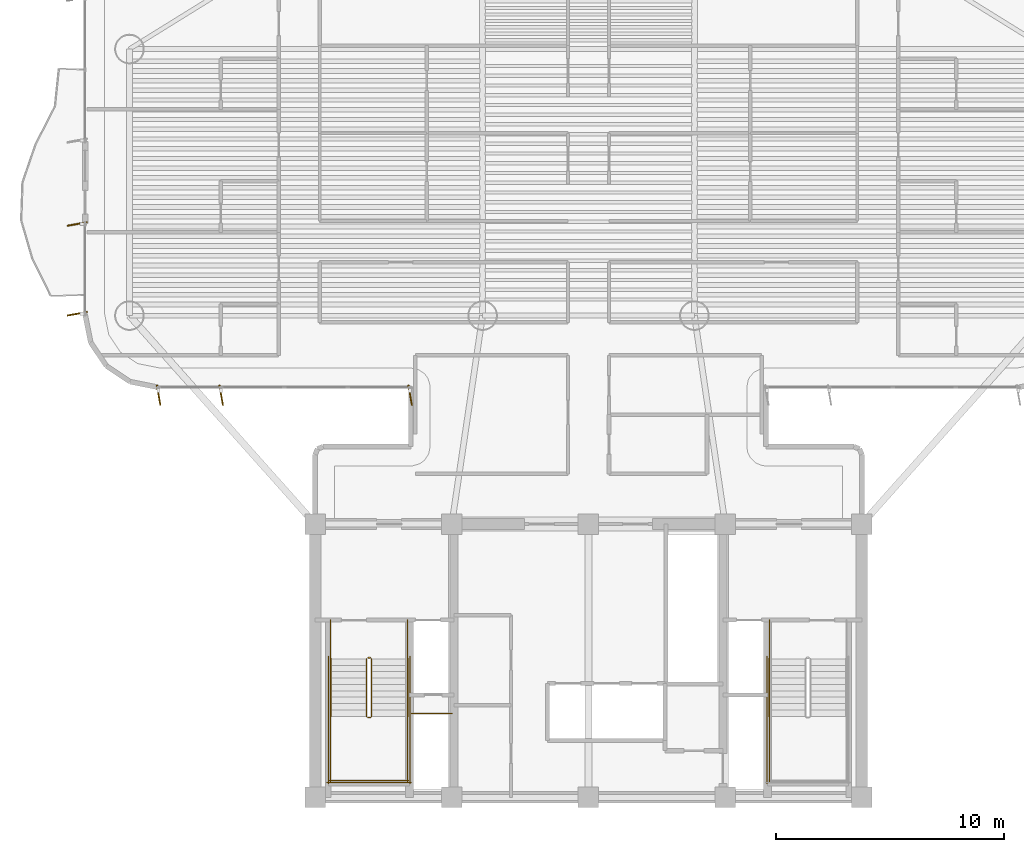
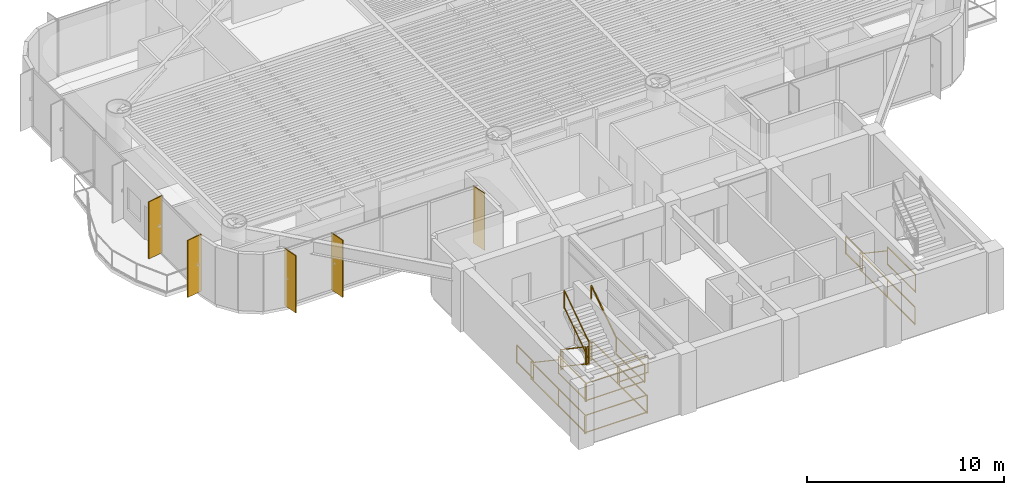
# One storey, part 14 of 17: 19 railings, 5 shading devices.
"""IFC4 building model written with IfcOpenShell, lengths in metres."""

from ifc_helpers import new_model, si_unit, direction, frame, origin, origin_2d, place, context, subcontext, project, spatial, rectangle, extrude, source, transform, mapped, material, layer, layer_set, material_profile, profile_set, type_object, element, save


model = new_model("IFC4")

# Units and contexts
model_context = context("Model", 3, precision=1e-05, world=origin(), true_north=direction((0.0, 1.0)))
body_context = subcontext(model_context, "Body", "Model", "MODEL_VIEW")
ifc_project = project(units=[si_unit("LENGTHUNIT", "METRE"), si_unit("AREAUNIT", "SQUARE_METRE"), si_unit("VOLUMEUNIT", "CUBIC_METRE"), si_unit("PLANEANGLEUNIT", "RADIAN"), si_unit("MASSUNIT", "GRAM", prefix="KILO")], contexts=[model_context])

# Site, building, storey
site_placement = place(None, origin())
site = spatial("IfcSite", under=ifc_project, at=site_placement, CompositionType="ELEMENT")
building_placement = place(site_placement, origin())
building = spatial("IfcBuilding", under=site, at=building_placement, Name="Brelvock Crest Care Tower", CompositionType="ELEMENT")
storey_placement = place(building_placement, frame((0.0, 0.0, 131.39990234375)))
storey = spatial("IfcBuildingStorey", under=building, at=storey_placement, Name="L33", CompositionType="ELEMENT", Elevation=131.39990234375)

# Railings
ifc_material_1 = material(Name="Steel Grade 350", Category="steel")
ifc_layer_1 = layer(ifc_material_1, 0.050048828125, Name="RL-STG1")
ifc_layer_set_1 = layer_set([ifc_layer_1], Name="Steel Grade 350")
railing_type_1 = type_object("IfcRailingType", Name="RL-STG1", PredefinedType="GUARDRAIL", material=ifc_layer_set_1)
railing_1_placement = place(storey_placement, frame((26.260009765625, 12.080078125, 0.189208984375)))
element("IfcRailing", 1, at=railing_1_placement, inside=storey, type_object=railing_type_1, Name="L33 ST-1 stair guard 1", PredefinedType="GUARDRAIL", context=body_context, shape_type="SweptSolid", body=[
    extrude(rectangle(XDim=0.048095703125, YDim=0.048095703125, at=origin_2d()), frame((0.0, -0.001708984375, 1.116943359375), z_axis=(0.0, -0.828861706735, 0.559453546873), x_axis=(1.0, 0.0, 0.0)), (0.0, 0.0, 1.0), 3.036376953125),
    extrude(rectangle(XDim=0.048095703125, YDim=0.048095703125, at=origin_2d()), frame((0.0, -0.001708984375, 0.05615234375), z_axis=(0.0, -0.828861706735, 0.559453546873), x_axis=(1.0, 0.0, 0.0)), (0.0, 0.0, 1.0), 3.036376953125),
    extrude(rectangle(XDim=0.0419921875, YDim=0.0419921875, at=origin_2d()), origin(), (0.0, 0.0, 1.0), 1.08984375),
    extrude(rectangle(XDim=0.0419921875, YDim=0.0419921875, at=origin_2d()), frame((0.0, -2.52001953125, 1.700927734375)), (0.0, 0.0, 1.0), 1.08984375),
])
railing_2_placement = place(storey_placement, frame((26.31005859375, 9.510009765625, 1.89013671875)))
element("IfcRailing", 2, at=railing_2_placement, inside=storey, type_object=railing_type_1, Name="L33 ST-1 stair guard 2", PredefinedType="GUARDRAIL", context=body_context, shape_type="SweptSolid", body=[
    extrude(rectangle(XDim=0.048095703125, YDim=0.048095703125, at=origin_2d()), frame((0.001953125, 0.0, 1.11572265625), z_axis=(1.0, 0.0, 0.0), x_axis=(0.0, 1.0, 0.0)), (0.0, 0.0, 1.0), 0.115966796875),
    extrude(rectangle(XDim=0.048095703125, YDim=0.048095703125, at=origin_2d()), frame((0.001953125, 0.0, 0.054931640625), z_axis=(1.0, 0.0, 0.0), x_axis=(0.0, 1.0, 0.0)), (0.0, 0.0, 1.0), 0.115966796875),
    extrude(rectangle(XDim=0.0419921875, YDim=0.0419921875, at=origin_2d()), origin(), (0.0, 0.0, 1.0), 1.08984375),
    extrude(rectangle(XDim=0.0419921875, YDim=0.0419921875, at=origin_2d()), frame((0.119873046875, 0.0, 0.0)), (0.0, 0.0, 1.0), 1.08984375),
])
for number, where, name in (
    (3, (24.679931640625, 9.56005859375, 1.89013671875), "L33 ST-1 stair guard 3"),
    (4, (28.06005859375, 9.56005859375, 1.89013671875), "L33 ST-1 stair guard 4"),
):
    element("IfcRailing", number, at=place(storey_placement, frame(where)), inside=storey, type_object=railing_type_1, Name=name, PredefinedType="GUARDRAIL", context=body_context, shape_type="SweptSolid", body=[
        extrude(rectangle(XDim=0.048095703125, YDim=0.048095703125, at=origin_2d()), frame((0.0, -0.001953125, 1.11572265625), z_axis=(0.0, -1.0, 0.0), x_axis=(1.0, 0.0, 0.0)), (0.0, 0.0, 1.0), 2.856201171875),
        extrude(rectangle(XDim=0.048095703125, YDim=0.048095703125, at=origin_2d()), frame((0.0, -0.001953125, 0.054931640625), z_axis=(0.0, -1.0, 0.0), x_axis=(1.0, 0.0, 0.0)), (0.0, 0.0, 1.0), 2.856201171875),
        extrude(rectangle(XDim=0.0419921875, YDim=0.0419921875, at=origin_2d()), origin(), (0.0, 0.0, 1.0), 1.08984375),
        extrude(rectangle(XDim=0.0419921875, YDim=0.0419921875, at=origin_2d()), frame((0.0, -2.860107421875, 0.0)), (0.0, 0.0, 1.0), 1.08984375),
    ])
railing_3_placement = place(storey_placement, frame((24.6298828125, 6.75, 1.89013671875)))
element("IfcRailing", 5, at=railing_3_placement, inside=storey, type_object=railing_type_1, Name="L33 ST-1 stair guard 5", PredefinedType="GUARDRAIL", context=body_context, shape_type="SweptSolid", body=[
    extrude(rectangle(XDim=0.048095703125, YDim=0.048095703125, at=origin_2d()), frame((0.001953125, 0.0, 1.11572265625), z_axis=(1.0, 0.0, 0.0), x_axis=(0.0, 1.0, 0.0)), (0.0, 0.0, 1.0), 3.476318359375),
    extrude(rectangle(XDim=0.048095703125, YDim=0.048095703125, at=origin_2d()), frame((0.001953125, 0.0, 0.054931640625), z_axis=(1.0, 0.0, 0.0), x_axis=(0.0, 1.0, 0.0)), (0.0, 0.0, 1.0), 3.476318359375),
    extrude(rectangle(XDim=0.0419921875, YDim=0.0419921875, at=origin_2d()), origin(), (0.0, 0.0, 1.0), 1.08984375),
    extrude(rectangle(XDim=0.0419921875, YDim=0.0419921875, at=origin_2d()), frame((3.480224609375, 0.0, 0.0)), (0.0, 0.0, 1.0), 1.08984375),
])
railing_4_placement = place(storey_placement, frame((26.47998046875, 9.56005859375, 2.0791015625)))
element("IfcRailing", 6, at=railing_4_placement, inside=storey, type_object=railing_type_1, Name="L33 ST-1 stair guard 6", PredefinedType="GUARDRAIL", context=body_context, shape_type="SweptSolid", body=[
    extrude(rectangle(XDim=0.048095703125, YDim=0.048095703125, at=origin_2d()), frame((0.0, 0.001708984375, 1.116943359375), z_axis=(0.0, 0.828861706735, 0.559453546873), x_axis=(-1.0, 0.0, 0.0)), (0.0, 0.0, 1.0), 3.036376953125),
    extrude(rectangle(XDim=0.048095703125, YDim=0.048095703125, at=origin_2d()), frame((0.0, 0.001708984375, 0.05615234375), z_axis=(0.0, 0.828861706735, 0.559453546873), x_axis=(-1.0, 0.0, 0.0)), (0.0, 0.0, 1.0), 3.036376953125),
    extrude(rectangle(XDim=0.0419921875, YDim=0.0419921875, at=origin_2d()), origin(), (0.0, 0.0, 1.0), 1.08984375),
    extrude(rectangle(XDim=0.0419921875, YDim=0.0419921875, at=origin_2d()), frame((0.0, 2.52001953125, 1.700927734375)), (0.0, 0.0, 1.0), 1.08984375),
])
railing_5_placement = place(storey_placement, frame((26.31005859375, 12.1298828125, 0.0)))
element("IfcRailing", 7, at=railing_5_placement, inside=storey, type_object=railing_type_1, Name="L33 ST-1 stair guard 7", PredefinedType="GUARDRAIL", context=body_context, shape_type="SweptSolid", body=[
    extrude(rectangle(XDim=0.048095703125, YDim=0.048095703125, at=origin_2d()), frame((0.001953125, 0.0, 1.11572265625), z_axis=(1.0, 0.0, 0.0), x_axis=(0.0, 1.0, 0.0)), (0.0, 0.0, 1.0), 0.115966796875),
    extrude(rectangle(XDim=0.048095703125, YDim=0.048095703125, at=origin_2d()), frame((0.001953125, 0.0, 0.054931640625), z_axis=(1.0, 0.0, 0.0), x_axis=(0.0, 1.0, 0.0)), (0.0, 0.0, 1.0), 0.115966796875),
    extrude(rectangle(XDim=0.0419921875, YDim=0.0419921875, at=origin_2d()), origin(), (0.0, 0.0, 1.0), 1.08984375),
    extrude(rectangle(XDim=0.0419921875, YDim=0.0419921875, at=origin_2d()), frame((0.119873046875, 0.0, 0.0)), (0.0, 0.0, 1.0), 1.08984375),
])
for number, where, name in (
    (8, (24.679931640625, 13.780029296875, 0.0), "L33 ST-1 stair guard 8"),
    (9, (28.06005859375, 13.780029296875, 0.0), "L33 ST-1 stair guard 9"),
):
    element("IfcRailing", number, at=place(storey_placement, frame(where)), inside=storey, type_object=railing_type_1, Name=name, PredefinedType="GUARDRAIL", context=body_context, shape_type="SweptSolid", body=[
        extrude(rectangle(XDim=0.048095703125, YDim=0.048095703125, at=origin_2d()), frame((0.0, -0.001953125, 1.11572265625), z_axis=(0.0, -1.0, 0.0), x_axis=(1.0, 0.0, 0.0)), (0.0, 0.0, 1.0), 1.696044921875),
        extrude(rectangle(XDim=0.048095703125, YDim=0.048095703125, at=origin_2d()), frame((0.0, -0.001953125, 0.054931640625), z_axis=(0.0, -1.0, 0.0), x_axis=(1.0, 0.0, 0.0)), (0.0, 0.0, 1.0), 1.696044921875),
        extrude(rectangle(XDim=0.0419921875, YDim=0.0419921875, at=origin_2d()), origin(), (0.0, 0.0, 1.0), 1.08984375),
        extrude(rectangle(XDim=0.0419921875, YDim=0.0419921875, at=origin_2d()), frame((0.0, -1.699951171875, 0.0)), (0.0, 0.0, 1.0), 1.08984375),
    ])
for number, where, name in (
    (10, (24.580078125, 12.179931640625, 0.0), "L33 ST-1 stair guard 10"),
    (11, (28.159912109375, 12.179931640625, 0.0), "L33 ST-1 stair guard 11"),
):
    element("IfcRailing", number, at=place(storey_placement, frame(where)), inside=storey, type_object=railing_type_1, Name=name, PredefinedType="GUARDRAIL", context=body_context, shape_type="SweptSolid", body=[
        extrude(rectangle(XDim=0.048095703125, YDim=0.048095703125, at=origin_2d()), frame((0.0, -0.001953125, 1.11572265625), z_axis=(0.0, -1.0, 0.0), x_axis=(1.0, 0.0, 0.0)), (0.0, 0.0, 1.0), 5.575927734375),
        extrude(rectangle(XDim=0.048095703125, YDim=0.048095703125, at=origin_2d()), frame((0.0, -0.001953125, 0.054931640625), z_axis=(0.0, -1.0, 0.0), x_axis=(1.0, 0.0, 0.0)), (0.0, 0.0, 1.0), 5.575927734375),
        extrude(rectangle(XDim=0.0419921875, YDim=0.0419921875, at=origin_2d()), origin(), (0.0, 0.0, 1.0), 1.08984375),
        extrude(rectangle(XDim=0.0419921875, YDim=0.0419921875, at=origin_2d()), frame((0.0, -2.7900390625, 0.0)), (0.0, 0.0, 1.0), 1.08984375),
        extrude(rectangle(XDim=0.0419921875, YDim=0.0419921875, at=origin_2d()), frame((0.0, -5.579833984375, 0.0)), (0.0, 0.0, 1.0), 1.08984375),
    ])
railing_6_placement = place(storey_placement, frame((24.530029296875, 6.64990234375, 0.0)))
element("IfcRailing", 12, at=railing_6_placement, inside=storey, type_object=railing_type_1, Name="L33 ST-1 stair guard 12", PredefinedType="GUARDRAIL", context=body_context, shape_type="SweptSolid", body=[
    extrude(rectangle(XDim=0.048095703125, YDim=0.048095703125, at=origin_2d()), frame((0.001953125, 0.0, 1.11572265625), z_axis=(1.0, 0.0, 0.0), x_axis=(0.0, 1.0, 0.0)), (0.0, 0.0, 1.0), 3.676025390625),
    extrude(rectangle(XDim=0.048095703125, YDim=0.048095703125, at=origin_2d()), frame((0.001953125, 0.0, 0.054931640625), z_axis=(1.0, 0.0, 0.0), x_axis=(0.0, 1.0, 0.0)), (0.0, 0.0, 1.0), 3.676025390625),
    extrude(rectangle(XDim=0.0419921875, YDim=0.0419921875, at=origin_2d()), origin(), (0.0, 0.0, 1.0), 1.08984375),
    extrude(rectangle(XDim=0.0419921875, YDim=0.0419921875, at=origin_2d()), frame((3.679931640625, 0.0, 0.0)), (0.0, 0.0, 1.0), 1.08984375),
])
railing_7_placement = place(storey_placement, frame((43.93994140625, 9.56005859375, 1.89013671875)))
element("IfcRailing", 13, at=railing_7_placement, inside=storey, type_object=railing_type_1, Name="L33 ST-2 stair guard 3", PredefinedType="GUARDRAIL", context=body_context, shape_type="SweptSolid", body=[
    extrude(rectangle(XDim=0.048095703125, YDim=0.048095703125, at=origin_2d()), frame((0.0, -0.001953125, 1.11572265625), z_axis=(0.0, -1.0, 0.0), x_axis=(1.0, 0.0, 0.0)), (0.0, 0.0, 1.0), 2.856201171875),
    extrude(rectangle(XDim=0.048095703125, YDim=0.048095703125, at=origin_2d()), frame((0.0, -0.001953125, 0.054931640625), z_axis=(0.0, -1.0, 0.0), x_axis=(1.0, 0.0, 0.0)), (0.0, 0.0, 1.0), 2.856201171875),
    extrude(rectangle(XDim=0.0419921875, YDim=0.0419921875, at=origin_2d()), origin(), (0.0, 0.0, 1.0), 1.08984375),
    extrude(rectangle(XDim=0.0419921875, YDim=0.0419921875, at=origin_2d()), frame((0.0, -2.860107421875, 0.0)), (0.0, 0.0, 1.0), 1.08984375),
])
railing_8_placement = place(storey_placement, frame((43.93994140625, 13.780029296875, 0.0)))
element("IfcRailing", 14, at=railing_8_placement, inside=storey, type_object=railing_type_1, Name="L33 ST-2 stair guard 8", PredefinedType="GUARDRAIL", context=body_context, shape_type="SweptSolid", body=[
    extrude(rectangle(XDim=0.048095703125, YDim=0.048095703125, at=origin_2d()), frame((0.0, -0.001953125, 1.11572265625), z_axis=(0.0, -1.0, 0.0), x_axis=(1.0, 0.0, 0.0)), (0.0, 0.0, 1.0), 1.696044921875),
    extrude(rectangle(XDim=0.048095703125, YDim=0.048095703125, at=origin_2d()), frame((0.0, -0.001953125, 0.054931640625), z_axis=(0.0, -1.0, 0.0), x_axis=(1.0, 0.0, 0.0)), (0.0, 0.0, 1.0), 1.696044921875),
    extrude(rectangle(XDim=0.0419921875, YDim=0.0419921875, at=origin_2d()), origin(), (0.0, 0.0, 1.0), 1.08984375),
    extrude(rectangle(XDim=0.0419921875, YDim=0.0419921875, at=origin_2d()), frame((0.0, -1.699951171875, 0.0)), (0.0, 0.0, 1.0), 1.08984375),
])
railing_9_placement = place(storey_placement, frame((43.840087890625, 12.179931640625, 0.0)))
element("IfcRailing", 15, at=railing_9_placement, inside=storey, type_object=railing_type_1, Name="L33 ST-2 stair guard 10", PredefinedType="GUARDRAIL", context=body_context, shape_type="SweptSolid", body=[
    extrude(rectangle(XDim=0.048095703125, YDim=0.048095703125, at=origin_2d()), frame((0.0, -0.001953125, 1.11572265625), z_axis=(0.0, -1.0, 0.0), x_axis=(1.0, 0.0, 0.0)), (0.0, 0.0, 1.0), 5.575927734375),
    extrude(rectangle(XDim=0.048095703125, YDim=0.048095703125, at=origin_2d()), frame((0.0, -0.001953125, 0.054931640625), z_axis=(0.0, -1.0, 0.0), x_axis=(1.0, 0.0, 0.0)), (0.0, 0.0, 1.0), 5.575927734375),
    extrude(rectangle(XDim=0.0419921875, YDim=0.0419921875, at=origin_2d()), origin(), (0.0, 0.0, 1.0), 1.08984375),
    extrude(rectangle(XDim=0.0419921875, YDim=0.0419921875, at=origin_2d()), frame((0.0, -2.7900390625, 0.0)), (0.0, 0.0, 1.0), 1.08984375),
    extrude(rectangle(XDim=0.0419921875, YDim=0.0419921875, at=origin_2d()), frame((0.0, -5.579833984375, 0.0)), (0.0, 0.0, 1.0), 1.08984375),
])
railing_10_placement = place(storey_placement, frame((28.219970703125, 9.679931640625, 0.0)))
element("IfcRailing", 16, at=railing_10_placement, inside=storey, type_object=railing_type_1, Name="L33 Fire Riser Threshold Guard", PredefinedType="GUARDRAIL", context=body_context, shape_type="SweptSolid", body=[
    extrude(rectangle(XDim=0.048095703125, YDim=0.048095703125, at=origin_2d()), frame((0.001953125, 0.0, 1.11572265625), z_axis=(1.0, 0.0, 0.0), x_axis=(0.0, 1.0, 0.0)), (0.0, 0.0, 1.0), 1.776123046875),
    extrude(rectangle(XDim=0.048095703125, YDim=0.048095703125, at=origin_2d()), frame((0.001953125, 0.0, 0.054931640625), z_axis=(1.0, 0.0, 0.0), x_axis=(0.0, 1.0, 0.0)), (0.0, 0.0, 1.0), 1.776123046875),
    extrude(rectangle(XDim=0.0419921875, YDim=0.0419921875, at=origin_2d()), origin(), (0.0, 0.0, 1.0), 1.08984375),
    extrude(rectangle(XDim=0.0419921875, YDim=0.0419921875, at=origin_2d()), frame((1.780029296875, 0.0, 0.0)), (0.0, 0.0, 1.0), 1.08984375),
])
ifc_layer_2 = layer(ifc_material_1, 0.048095703125, Name="RL-STH1")
ifc_layer_set_2 = layer_set([ifc_layer_2], Name="Steel Grade 350")
railing_type_2 = type_object("IfcRailingType", Name="RL-STH1", PredefinedType="HANDRAIL", material=ifc_layer_set_2)
railing_11_placement = place(storey_placement, frame((24.679931640625, 12.080078125, 0.189208984375)))
element("IfcRailing", 17, at=railing_11_placement, inside=storey, type_object=railing_type_2, Name="L33 ST-1 stair handrail 1", PredefinedType="HANDRAIL", context=body_context, shape_type="SweptSolid", body=[
    extrude(rectangle(XDim=0.048095703125, YDim=0.048095703125, at=origin_2d()), frame((0.0, -0.001708984375, 0.876953125), z_axis=(0.0, -0.828861706735, 0.559453546873), x_axis=(1.0, 0.0, 0.0)), (0.0, 0.0, 1.0), 3.036376953125),
    extrude(rectangle(XDim=0.0419921875, YDim=0.0419921875, at=origin_2d()), origin(), (0.0, 0.0, 1.0), 0.849853515625),
    extrude(rectangle(XDim=0.0419921875, YDim=0.0419921875, at=origin_2d()), frame((0.0, -2.52001953125, 1.700927734375)), (0.0, 0.0, 1.0), 0.849853515625),
])
railing_12_placement = place(storey_placement, frame((28.06005859375, 9.56005859375, 2.0791015625)))
element("IfcRailing", 18, at=railing_12_placement, inside=storey, type_object=railing_type_2, Name="L33 ST-1 stair handrail 2", PredefinedType="HANDRAIL", context=body_context, shape_type="SweptSolid", body=[
    extrude(rectangle(XDim=0.048095703125, YDim=0.048095703125, at=origin_2d()), frame((0.0, 0.001708984375, 0.876953125), z_axis=(0.0, 0.828861706735, 0.559453546873), x_axis=(-1.0, 0.0, 0.0)), (0.0, 0.0, 1.0), 3.036376953125),
    extrude(rectangle(XDim=0.0419921875, YDim=0.0419921875, at=origin_2d()), origin(), (0.0, 0.0, 1.0), 0.849853515625),
    extrude(rectangle(XDim=0.0419921875, YDim=0.0419921875, at=origin_2d()), frame((0.0, 2.52001953125, 1.700927734375)), (0.0, 0.0, 1.0), 0.849853515625),
])
railing_13_placement = place(storey_placement, frame((43.93994140625, 12.080078125, 0.189208984375)))
element("IfcRailing", 19, at=railing_13_placement, inside=storey, type_object=railing_type_2, Name="L33 ST-2 stair handrail 1", PredefinedType="HANDRAIL", context=body_context, shape_type="SweptSolid", body=[
    extrude(rectangle(XDim=0.048095703125, YDim=0.048095703125, at=origin_2d()), frame((0.0, -0.001708984375, 0.876953125), z_axis=(0.0, -0.828861706735, 0.559453546873), x_axis=(1.0, 0.0, 0.0)), (0.0, 0.0, 1.0), 3.036376953125),
    extrude(rectangle(XDim=0.0419921875, YDim=0.0419921875, at=origin_2d()), origin(), (0.0, 0.0, 1.0), 0.849853515625),
    extrude(rectangle(XDim=0.0419921875, YDim=0.0419921875, at=origin_2d()), frame((0.0, -2.52001953125, 1.700927734375)), (0.0, 0.0, 1.0), 0.849853515625),
])

# Shading devices
ifc_material_2 = material(Name="Aluminium 6063-T6", Category="aluminium")
ifc_material_profile = material_profile(ifc_material_2, rectangle(XDim=0.054931640625, YDim=0.89990234375, at=origin_2d()), Name="FIN55x900")
ifc_profile_set = profile_set([ifc_material_profile], Name="Aluminium 6063-T6")
shading_device_type = type_object("IfcShadingDeviceType", Name="SHD-FIN1", PredefinedType="USERDEFINED", material=ifc_profile_set)
shared_shape = source(origin(), body_context, "Body", "SweptSolid", [
    extrude(rectangle(XDim=0.054931640625, YDim=0.89990234375, at=origin_2d()), origin(), (0.0, 0.0, 1.0), 3.530029296875),
])
for number, where, z_axis, x_axis, name in (
    (20, (28.169921875, 23.659912109375, 0.0), (0.0, 0.0, 1.0), (-0.984807753012, -0.173648177667, 0.0), "L33 Vertical Sunshade Fin E12-01"),
    (21, (19.875, 23.659912109375, 0.0), (0.0, 0.0, 1.0), (-0.984807753012, -0.173648177667, 0.0), "L33 Vertical Sunshade Fin E12-04"),
    (22, (17.1298828125, 23.659912109375, 0.0), (0.0, 0.0, 1.0), (-0.984807753012, -0.173648177667, 0.0), "L33 Vertical Sunshade Fin E12-05"),
    (23, (13.56005859375, 27.22998046875, 0.0), (0.0, 0.0, 1.0), (-0.173648177667, 0.984807753012, 0.0), "L33 Vertical Sunshade Fin E17A-01"),
    (24, (13.56005859375, 31.169921875, 0.0), (0.0, 0.0, 1.0), (-0.173648177667, 0.984807753012, 0.0), "L33 Vertical Sunshade Fin E17A-02"),
):
    element("IfcShadingDevice", number, at=place(storey_placement, frame(where, z_axis=z_axis, x_axis=x_axis)), inside=storey, type_object=shading_device_type, Name=name, ObjectType="FIN", PredefinedType="USERDEFINED", context=body_context, shape_type="MappedRepresentation", body=[
        mapped(shared_shape, transform((0.0, 0.0, 0.0), x_axis=(1.0, 0.0, 0.0), y_axis=(0.0, 1.0, 0.0), z_axis=(0.0, 0.0, 1.0), scale=1.0)),
    ])

save(model, "model.ifc")
